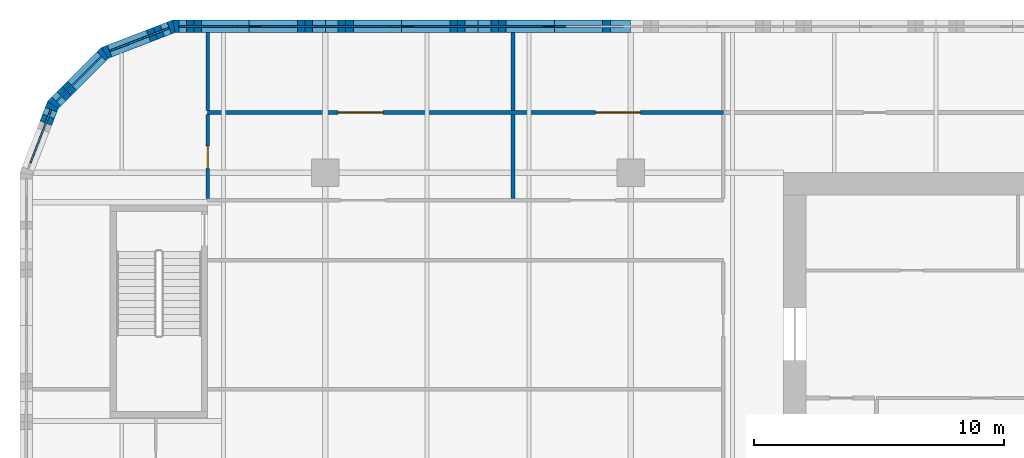
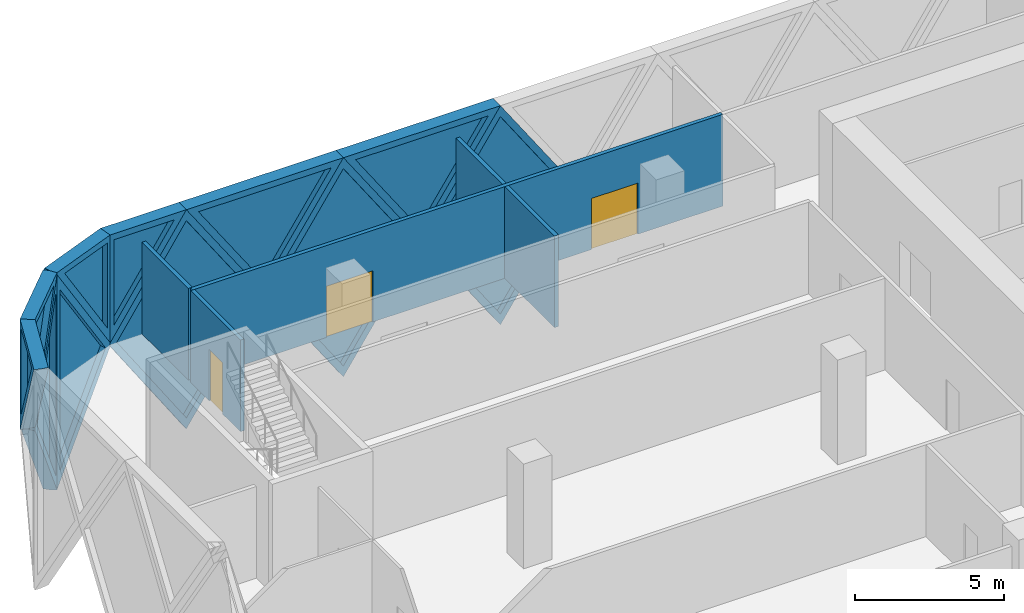
# One storey, part 16 of 30: 16 walls, 11 plates, 3 doors, 14 openings.
"""IFC4 building model written with IfcOpenShell, lengths in metres."""

from ifc_helpers import new_model, si_unit, direction, frame, frame_2d, origin, place, context, subcontext, project, spatial, polyline, rectangle, outline, extrude, faceted_brep, source, transform, mapped, material, layer, layer_set, type_object, element, fill, save


model = new_model("IFC4")

# Units and contexts
model_context = context("Model", 3, precision=1e-05, world=origin(), true_north=direction((0.0, 1.0)))
body_context = subcontext(model_context, "Body", "Model", "MODEL_VIEW")
ifc_project = project(units=[si_unit("LENGTHUNIT", "METRE"), si_unit("AREAUNIT", "SQUARE_METRE"), si_unit("VOLUMEUNIT", "CUBIC_METRE"), si_unit("PLANEANGLEUNIT", "RADIAN"), si_unit("MASSUNIT", "GRAM", prefix="KILO")], contexts=[model_context])

# Site, building, storey
site_placement = place(None, origin())
site = spatial("IfcSite", under=ifc_project, at=site_placement, CompositionType="ELEMENT")
building_placement = place(site_placement, origin())
building = spatial("IfcBuilding", under=site, at=building_placement, Name="Tessera Gate Towers", CompositionType="ELEMENT")
storey_placement = place(building_placement, frame((0.0, 0.0, 21.300048828125)))
storey = spatial("IfcBuildingStorey", under=building, at=storey_placement, Name="L04", CompositionType="ELEMENT", Elevation=21.300048828125)

# Wall, opening, door
ifc_material_1 = material(Name="Gypsum board on steel studs, mineral wool", Category="steel")
ifc_layer_1 = layer(ifc_material_1, 0.14990234375)
ifc_layer_set_1 = layer_set([ifc_layer_1], Name="TENANCY WALL 150")
wall_type_1 = type_object("IfcWallType", Name="TENANCY WALL 150", PredefinedType="PARTITIONING", material=ifc_layer_set_1)
wall_1_placement = place(storey_placement, frame((7.5, 47.77587890625, 0.0), z_axis=(0.0, 0.0, 1.0), x_axis=(0.0, 1.0, 0.0)))
wall_1 = element("IfcWall", 1, at=wall_1_placement, inside=storey, type_object=wall_type_1, Name="T1-L04-PW-042", PredefinedType="PARTITIONING", context=body_context, shape_type="SweptSolid", body=[
    extrude(rectangle(XDim=3.34814453125, YDim=0.14990234375, at=frame_2d((1.674072265625, 0.0))), origin(), (0.0, 0.0, 1.0), 3.766845703125),
])
shared_shape_1 = source(origin(), body_context, "Body", "SweptSolid", [
    extrude(rectangle(XDim=0.89990234375, YDim=2.10009765625, at=frame_2d((0.449951171875, 1.050048828125))), frame((0.0, 0.0849609375, 0.0), z_axis=(0.0, -1.0, 0.0), x_axis=(1.0, 0.0, 0.0)), (0.0, 0.0, 1.0), 0.169921875),
])
opening_1_placement = place(wall_1_placement, frame((1.199951171875, 0.0, 0.0)))
opening_1 = element("IfcOpeningElement", 2, at=opening_1_placement, cuts=wall_1, Name="Opening D190-A01-01", PredefinedType="OPENING", context=body_context, shape_type="MappedRepresentation", body=[
    mapped(shared_shape_1, transform((0.0, 0.0, 0.0), scale=1.0)),
])
ifc_material_2 = material(Name="Timber door leaf in steel frame", Category="steel")
door_type_1 = type_object("IfcDoorType", Name="INTERNAL DOOR 900 NOT RATED", OperationType="NOTDEFINED", PredefinedType="DOOR", material=ifc_material_2)
shared_shape_2 = source(origin(), body_context, "Body", "SweptSolid", [
    extrude(rectangle(XDim=0.89990234375, YDim=2.10009765625, at=frame_2d((0.449951171875, 1.050048828125))), frame((0.0, 0.02490234375, 0.0), z_axis=(0.0, -1.0, 0.0), x_axis=(1.0, 0.0, 0.0)), (0.0, 0.0, 1.0), 0.050048828125),
])
door_1_placement = place(opening_1_placement, origin())
door_1 = element("IfcDoor", 3, at=door_1_placement, inside=storey, type_object=door_type_1, Name="T1-L04-PD-001", OperationType="SINGLE_SWING_LEFT", OverallHeight=2.10009765625, OverallWidth=0.89990234375, PredefinedType="DOOR", context=body_context, shape_type="MappedRepresentation", body=[
    mapped(shared_shape_2, transform((0.0, 0.0, 0.0), scale=1.0)),
])
fill(opening_1, door_1)

# Wall
wall_2_placement = place(storey_placement, frame((19.699951171875, 47.77587890625, 0.0), z_axis=(0.0, 0.0, 1.0), x_axis=(0.0, 1.0, 0.0)))
element("IfcWall", 4, at=wall_2_placement, inside=storey, type_object=wall_type_1, Name="T1-L04-PW-043", PredefinedType="PARTITIONING", context=body_context, shape_type="SweptSolid", body=[
    extrude(rectangle(XDim=3.34814453125, YDim=0.14990234375, at=frame_2d((1.674072265625, 0.0))), origin(), (0.0, 0.0, 1.0), 3.766845703125),
])

# Wall, openings, doors
wall_3_placement = place(storey_placement, frame((7.5, 51.199951171875, 0.0), z_axis=(0.0, 0.0, 1.0), x_axis=(1.0, 0.0, 0.0)))
wall_3 = element("IfcWall", 5, at=wall_3_placement, inside=storey, type_object=wall_type_1, Name="T1-L04-PW-045", PredefinedType="PARTITIONING", context=body_context, shape_type="SweptSolid", body=[
    extrude(rectangle(XDim=20.59912109375, YDim=0.14990234375, at=frame_2d((10.299560546875, 0.0))), origin(), (0.0, 0.0, 1.0), 3.766845703125),
])
shared_shape_3 = source(origin(), body_context, "Body", "SweptSolid", [
    extrude(rectangle(XDim=1.800048828125, YDim=2.10009765625, at=frame_2d((0.89990234375, 1.050048828125))), frame((0.0, 0.0849609375, 0.0), z_axis=(0.0, -1.0, 0.0), x_axis=(1.0, 0.0, 0.0)), (0.0, 0.0, 1.0), 0.169921875),
])
opening_2_placement = place(wall_3_placement, frame((15.5009765625, 0.0, 0.0)))
opening_2 = element("IfcOpeningElement", 6, at=opening_2_placement, cuts=wall_3, Name="Opening D7180-A01-01", PredefinedType="OPENING", context=body_context, shape_type="MappedRepresentation", body=[
    mapped(shared_shape_3, transform((0.0, 0.0, 0.0), scale=1.0)),
])
opening_3_placement = place(wall_3_placement, frame((5.199951171875, 0.0, 0.0)))
opening_3 = element("IfcOpeningElement", 7, at=opening_3_placement, cuts=wall_3, Name="Opening D7180-A01-02", PredefinedType="OPENING", context=body_context, shape_type="MappedRepresentation", body=[
    mapped(shared_shape_3, transform((0.0, 0.0, 0.0), scale=1.0)),
])
ifc_material_3 = material(Name="Timber door leaf in steel frame", Category="steel")
door_type_2 = type_object("IfcDoorType", Name="DOUBLE DOOR 1800 NOT RATED", OperationType="NOTDEFINED", PredefinedType="DOOR", material=ifc_material_3)
shared_shape_4 = source(origin(), body_context, "Body", "SweptSolid", [
    extrude(rectangle(XDim=1.800048828125, YDim=2.10009765625, at=frame_2d((0.89990234375, 1.050048828125))), frame((0.0, 0.02490234375, 0.0), z_axis=(0.0, -1.0, 0.0), x_axis=(1.0, 0.0, 0.0)), (0.0, 0.0, 1.0), 0.050048828125),
])
door_2_placement = place(opening_2_placement, origin())
door_2 = element("IfcDoor", 8, at=door_2_placement, inside=storey, type_object=door_type_2, Name="T1-L04-PD-014", OperationType="DOUBLE_DOOR_SINGLE_SWING", OverallHeight=2.10009765625, OverallWidth=1.800048828125, PredefinedType="DOOR", context=body_context, shape_type="MappedRepresentation", body=[
    mapped(shared_shape_4, transform((0.0, 0.0, 0.0), scale=1.0)),
])
fill(opening_2, door_2)
door_3_placement = place(opening_3_placement, origin())
door_3 = element("IfcDoor", 9, at=door_3_placement, inside=storey, type_object=door_type_2, Name="T1-L04-PD-026", OperationType="DOUBLE_DOOR_SINGLE_SWING", OverallHeight=2.10009765625, OverallWidth=1.800048828125, PredefinedType="DOOR", context=body_context, shape_type="MappedRepresentation", body=[
    mapped(shared_shape_4, transform((0.0, 0.0, 0.0), scale=1.0)),
])
fill(opening_3, door_3)

# Walls
for number, where, z_axis, x_axis, name in (
    (10, (7.5, 51.27587890625, 0.0), (0.0, 0.0, 1.0), (0.0, 1.0, 0.0), "T1-L04-PW-047"),
    (11, (19.699951171875, 51.27587890625, 0.0), (0.0, 0.0, 1.0), (0.0, 1.0, 0.0), "T1-L04-PW-048"),
):
    element("IfcWall", number, at=place(storey_placement, frame(where, z_axis=z_axis, x_axis=x_axis)), inside=storey, type_object=wall_type_1, Name=name, PredefinedType="PARTITIONING", context=body_context, shape_type="SweptSolid", body=[
        extrude(rectangle(XDim=3.1240234375, YDim=0.14990234375, at=frame_2d((1.56201171875, 0.0))), origin(), (0.0, 0.0, 1.0), 3.766845703125),
    ])

# Wall, opening, plate
ifc_material_4 = material(Name="Precast concrete C60/75 white", Category="concrete")
ifc_layer_2 = layer(ifc_material_4, 0.5)
ifc_layer_set_2 = layer_set([ifc_layer_2], Name="TS1 tessera")
wall_type_2 = type_object("IfcWallType", Name="TS1 tessera", PredefinedType="SOLIDWALL", material=ifc_layer_set_2)
shared_shape_5 = source(origin(), body_context, "Body", "Brep", [
    faceted_brep([(3.050048828125, -0.25, 0.0), (6.099853515625, -0.25, 4.499755859375), (6.099853515625, -0.25, 4.500244140625), (3.050048828125, -0.25, 9.0), (0.0, -0.25, 4.5), (0.0, 0.25, 4.5), (3.050048828125, 0.25, 9.0), (6.099853515625, 0.25, 4.500244140625), (6.099853515625, 0.25, 4.499755859375), (3.050048828125, 0.25, 0.0)], [[[0, 1, 2, 3, 4]], [[5, 6, 7, 8, 9]], [[9, 8, 1, 0]], [[7, 6, 3, 2]], [[6, 5, 4, 3]], [[5, 9, 0, 4]], [[1, 8, 7, 2]]]),
])
wall_4_placement = place(storey_placement, frame((24.39990234375, 54.64990234375, -4.5), z_axis=(0.0, 0.0, 1.0), x_axis=(-1.0, 0.0, 0.0)))
wall_4 = element("IfcWall", 12, at=wall_4_placement, inside=storey, type_object=wall_type_2, Name="Precast tessera T1 TS1-0015", PredefinedType="SOLIDWALL", context=body_context, shape_type="MappedRepresentation", body=[
    mapped(shared_shape_5, transform((0.0, 0.0, 0.0), scale=1.0)),
])
shared_shape_6 = source(origin(), body_context, "Body", "SweptSolid", [
    extrude(outline(polyline([(3.050048828125, 0.445556640625), (5.798095703125, 4.5), (3.050048828125, 8.554443359375), (0.302001953125, 4.5), (3.050048828125, 0.445556640625)])), frame((0.0, 0.260009765625, 0.0), z_axis=(0.0, -1.0, 0.0), x_axis=(1.0, 0.0, 0.0)), (0.0, 0.0, 1.0), 0.52001953125),
])
opening_4_placement = place(wall_4_placement, origin())
opening_4 = element("IfcOpeningElement", 13, at=opening_4_placement, cuts=wall_4, Name="Opening T1-PL2-0023", PredefinedType="OPENING", context=body_context, shape_type="MappedRepresentation", body=[
    mapped(shared_shape_6, transform((0.0, 0.0, 0.0), scale=1.0)),
])
ifc_material_5 = material(Name="Low-e laminated glass", Category="glass")
ifc_layer_3 = layer(ifc_material_5, 0.06005859375)
ifc_layer_set_3 = layer_set([ifc_layer_3], Name="PL2 rhombic pane")
plate_type_1 = type_object("IfcPlateType", Name="PL2 rhombic pane", PredefinedType="SHEET", material=ifc_layer_set_3)
shared_shape_7 = source(origin(), body_context, "Body", "SweptSolid", [
    extrude(outline(polyline([(3.050048828125, 0.445556640625), (5.798095703125, 4.5), (3.050048828125, 8.554443359375), (0.302001953125, 4.5), (3.050048828125, 0.445556640625)])), frame((0.0, 0.030029296875, 0.0), z_axis=(0.0, -1.0, 0.0), x_axis=(1.0, 0.0, 0.0)), (0.0, 0.0, 1.0), 0.06005859375),
])
plate_1_placement = place(opening_4_placement, origin())
plate_1 = element("IfcPlate", 14, at=plate_1_placement, inside=storey, type_object=plate_type_1, Name="Glass pane T1 PL2-0023", PredefinedType="SHEET", context=body_context, shape_type="MappedRepresentation", body=[
    mapped(shared_shape_7, transform((0.0, 0.0, 0.0), scale=1.0)),
])
fill(opening_4, plate_1)

shared_shape_8 = source(origin(), body_context, "Body", "SweptSolid", [
    extrude(outline(polyline([(3.050048828125, 0.0), (6.10009765625, 4.5), (3.050048828125, 9.0), (0.0, 4.5), (3.050048828125, 0.0)])), frame((0.0, 0.25, 0.0), z_axis=(0.0, -1.0, 0.0), x_axis=(1.0, 0.0, 0.0)), (0.0, 0.0, 1.0), 0.5),
])
wall_5_placement = place(storey_placement, frame((18.300048828125, 54.64990234375, -4.5), z_axis=(0.0, 0.0, 1.0), x_axis=(-1.0, 0.0, 0.0)))
wall_5 = element("IfcWall", 15, at=wall_5_placement, inside=storey, type_object=wall_type_2, Name="Precast tessera T1 TS1-0016", PredefinedType="SOLIDWALL", context=body_context, shape_type="MappedRepresentation", body=[
    mapped(shared_shape_8, transform((0.0, 0.0, 0.0), scale=1.0)),
])
opening_5_placement = place(wall_5_placement, origin())
opening_5 = element("IfcOpeningElement", 16, at=opening_5_placement, cuts=wall_5, Name="Opening T1-PL2-0024", PredefinedType="OPENING", context=body_context, shape_type="MappedRepresentation", body=[
    mapped(shared_shape_6, transform((0.0, 0.0, 0.0), scale=1.0)),
])
plate_2_placement = place(opening_5_placement, origin())
plate_2 = element("IfcPlate", 17, at=plate_2_placement, inside=storey, type_object=plate_type_1, Name="Glass pane T1 PL2-0024", PredefinedType="SHEET", context=body_context, shape_type="MappedRepresentation", body=[
    mapped(shared_shape_7, transform((0.0, 0.0, 0.0), scale=1.0)),
])
fill(opening_5, plate_2)

shared_shape_9 = source(origin(), body_context, "Body", "Brep", [
    faceted_brep([(3.050048828125, -0.25, 0.0), (6.053466796875, -0.25, 4.5), (3.050048828125, -0.25, 9.0), (0.0, -0.25, 4.5), (0.0, 0.25, 4.5), (3.050048828125, 0.25, 9.0), (6.0068359375, 0.25, 4.56982421875), (6.0068359375, 0.25, 4.43017578125), (3.050048828125, 0.25, 0.0), (6.053466796875, 0.0, 4.5)], [[[0, 1, 2, 3]], [[4, 5, 6, 7, 8]], [[8, 7, 9, 1, 0]], [[6, 5, 2, 1, 9]], [[5, 4, 3, 2]], [[4, 8, 0, 3]], [[9, 7, 6]]]),
])
wall_6_placement = place(storey_placement, frame((12.199951171875, 54.64990234375, -4.5), z_axis=(0.0, 0.0, 1.0), x_axis=(-1.0, 0.0, 0.0)))
wall_6 = element("IfcWall", 18, at=wall_6_placement, inside=storey, type_object=wall_type_2, Name="Precast tessera T1 TS1-0017", PredefinedType="SOLIDWALL", context=body_context, shape_type="MappedRepresentation", body=[
    mapped(shared_shape_9, transform((0.0, 0.0, 0.0), scale=1.0)),
])
shared_shape_10 = source(origin(), body_context, "Body", "SweptSolid", [
    extrude(outline(polyline([(3.04833984375, 0.447998046875), (5.7529296875, 4.5), (3.04833984375, 8.552001953125), (0.302001953125, 4.5), (3.04833984375, 0.447998046875)])), frame((0.0, 0.260009765625, 0.0), z_axis=(0.0, -1.0, 0.0), x_axis=(1.0, 0.0, 0.0)), (0.0, 0.0, 1.0), 0.52001953125),
])
opening_6_placement = place(wall_6_placement, origin())
opening_6 = element("IfcOpeningElement", 19, at=opening_6_placement, cuts=wall_6, Name="Opening T1-PL2-0025", PredefinedType="OPENING", context=body_context, shape_type="MappedRepresentation", body=[
    mapped(shared_shape_10, transform((0.0, 0.0, 0.0), scale=1.0)),
])
shared_shape_11 = source(origin(), body_context, "Body", "SweptSolid", [
    extrude(outline(polyline([(3.04833984375, 0.447998046875), (5.7529296875, 4.5), (3.04833984375, 8.552001953125), (0.302001953125, 4.5), (3.04833984375, 0.447998046875)])), frame((0.0, 0.030029296875, 0.0), z_axis=(0.0, -1.0, 0.0), x_axis=(1.0, 0.0, 0.0)), (0.0, 0.0, 1.0), 0.06005859375),
])
plate_3_placement = place(opening_6_placement, origin())
plate_3 = element("IfcPlate", 20, at=plate_3_placement, inside=storey, type_object=plate_type_1, Name="Glass pane T1 PL2-0025", PredefinedType="SHEET", context=body_context, shape_type="MappedRepresentation", body=[
    mapped(shared_shape_11, transform((0.0, 0.0, 0.0), scale=1.0)),
])
fill(opening_6, plate_3)

ifc_material_6 = material(Name="Precast concrete C60/75 white", Category="concrete")
ifc_layer_4 = layer(ifc_material_6, 0.5)
ifc_layer_set_4 = layer_set([ifc_layer_4], Name="TS3 corner tessera")
wall_type_3 = type_object("IfcWallType", Name="TS3 corner tessera", PredefinedType="SOLIDWALL", material=ifc_layer_set_4)
shared_shape_12 = source(origin(), body_context, "Body", "Brep", [
    faceted_brep([(2.950439453125, -0.25, 0.0), (3.00341796875, -0.25, 0.0810546875), (3.00341796875, -0.25, 8.9189453125), (2.950439453125, -0.25, 9.0), (0.0, -0.25, 4.5), (0.046630859375, 0.25, 4.571044921875), (2.897705078125, 0.25, 8.91943359375), (2.897705078125, 0.25, 0.08056640625), (0.046630859375, 0.25, 4.428955078125), (2.950439453125, 0.00048828125, 0.0), (2.950439453125, 0.00048828125, 9.0), (0.0, 0.0, 4.5)], [[[0, 1, 2, 3, 4]], [[5, 6, 7, 8]], [[1, 0, 9]], [[10, 3, 2]], [[6, 5, 11, 4, 3, 10]], [[8, 7, 9, 0, 4, 11]], [[8, 11, 5]], [[1, 9, 7, 6, 10, 2]]]),
])
wall_7_placement = place(storey_placement, frame((6.146484375, 54.64990234375, -4.5), z_axis=(0.0, 0.0, 1.0), x_axis=(-0.932997369089, -0.359883188373, 0.0)))
wall_7 = element("IfcWall", 21, at=wall_7_placement, inside=storey, type_object=wall_type_3, Name="Precast corner tessera T1 TS3-0033", PredefinedType="SOLIDWALL", context=body_context, shape_type="MappedRepresentation", body=[
    mapped(shared_shape_12, transform((0.0, 0.0, 0.0), scale=1.0)),
])
shared_shape_13 = source(origin(), body_context, "Body", "SweptSolid", [
    extrude(outline(polyline([(2.75048828125, 8.239013671875), (0.298828125, 4.5), (2.75048828125, 0.760986328125), (2.75048828125, 8.239013671875)])), frame((0.0, 0.260009765625, 0.0), z_axis=(0.0, -1.0, 0.0), x_axis=(1.0, 0.0, 0.0)), (0.0, 0.0, 1.0), 0.52001953125),
])
opening_7_placement = place(wall_7_placement, origin())
opening_7 = element("IfcOpeningElement", 22, at=opening_7_placement, cuts=wall_7, Name="Opening T1-PL2-0026", PredefinedType="OPENING", context=body_context, shape_type="MappedRepresentation", body=[
    mapped(shared_shape_13, transform((0.0, 0.0, 0.0), scale=1.0)),
])
shared_shape_14 = source(origin(), body_context, "Body", "SweptSolid", [
    extrude(outline(polyline([(2.75048828125, 8.239013671875), (0.298828125, 4.5), (2.75048828125, 0.760986328125), (2.75048828125, 8.239013671875)])), frame((0.0, 0.030029296875, 0.0), z_axis=(0.0, -1.0, 0.0), x_axis=(1.0, 0.0, 0.0)), (0.0, 0.0, 1.0), 0.06005859375),
])
plate_4_placement = place(opening_7_placement, origin())
plate_4 = element("IfcPlate", 23, at=plate_4_placement, inside=storey, type_object=plate_type_1, Name="Glass pane T1 PL2-0026", PredefinedType="SHEET", context=body_context, shape_type="MappedRepresentation", body=[
    mapped(shared_shape_14, transform((0.0, 0.0, 0.0), scale=1.0)),
])
fill(opening_7, plate_4)

shared_shape_15 = source(origin(), body_context, "Body", "Brep", [
    faceted_brep([(0.052978515625, -0.25, 0.0), (2.9970703125, -0.25, 4.5), (0.052978515625, -0.25, 9.0), (0.0, -0.25, 8.919189453125), (0.0, -0.25, 0.080810546875), (0.10595703125, 0.25, 8.919189453125), (2.944091796875, 0.25, 4.580810546875), (2.944091796875, 0.25, 4.419189453125), (0.10595703125, 0.25, 0.080810546875), (2.9970703125, 0.000244140625, 4.5), (0.052978515625, 0.0, 0.0), (0.052978515625, 0.0, 9.0)], [[[0, 1, 2, 3, 4]], [[5, 6, 7, 8]], [[8, 7, 9, 1, 0, 10]], [[6, 5, 11, 2, 1, 9]], [[3, 2, 11]], [[10, 0, 4]], [[8, 10, 4, 3, 11, 5]], [[9, 7, 6]]]),
])
wall_8_placement = place(storey_placement, frame((3.43115234375, 53.62548828125, -4.5), z_axis=(0.0, 0.0, 1.0), x_axis=(-0.707106781187, -0.707106781187, 0.0)))
wall_8 = element("IfcWall", 24, at=wall_8_placement, inside=storey, type_object=wall_type_3, Name="Precast corner tessera T1 TS3-0034", PredefinedType="SOLIDWALL", context=body_context, shape_type="MappedRepresentation", body=[
    mapped(shared_shape_15, transform((0.0, 0.0, 0.0), scale=1.0)),
])
shared_shape_16 = source(origin(), body_context, "Body", "SweptSolid", [
    extrude(outline(polyline([(0.2529296875, 0.76220703125), (2.698486328125, 4.5), (0.2529296875, 8.237548828125), (0.2529296875, 0.76220703125)])), frame((0.0, 0.260009765625, 0.0), z_axis=(0.0, -1.0, 0.0), x_axis=(1.0, 0.0, 0.0)), (0.0, 0.0, 1.0), 0.52001953125),
])
opening_8_placement = place(wall_8_placement, origin())
opening_8 = element("IfcOpeningElement", 25, at=opening_8_placement, cuts=wall_8, Name="Opening T1-PL2-0027", PredefinedType="OPENING", context=body_context, shape_type="MappedRepresentation", body=[
    mapped(shared_shape_16, transform((0.0, 0.0, 0.0), scale=1.0)),
])
shared_shape_17 = source(origin(), body_context, "Body", "SweptSolid", [
    extrude(outline(polyline([(0.2529296875, 0.76220703125), (2.698486328125, 4.5), (0.2529296875, 8.237548828125), (0.2529296875, 0.76220703125)])), frame((0.0, 0.030029296875, 0.0), z_axis=(0.0, -1.0, 0.0), x_axis=(1.0, 0.0, 0.0)), (0.0, 0.0, 1.0), 0.06005859375),
])
plate_5_placement = place(opening_8_placement, origin())
plate_5 = element("IfcPlate", 26, at=plate_5_placement, inside=storey, type_object=plate_type_1, Name="Glass pane T1 PL2-0027", PredefinedType="SHEET", context=body_context, shape_type="MappedRepresentation", body=[
    mapped(shared_shape_17, transform((0.0, 0.0, 0.0), scale=1.0)),
])
fill(opening_8, plate_5)

ifc_material_7 = material(Name="Precast concrete C60/75 white", Category="concrete")
ifc_layer_5 = layer(ifc_material_7, 0.5)
ifc_layer_set_5 = layer_set([ifc_layer_5], Name="TS2 half tessera")
wall_type_4 = type_object("IfcWallType", Name="TS2 half tessera", PredefinedType="SOLIDWALL", material=ifc_layer_set_5)
shared_shape_18 = source(origin(), body_context, "Body", "SweptSolid", [
    extrude(outline(polyline([(3.050048828125, 0.0), (6.10009765625, 4.5), (0.0, 4.5), (3.050048828125, 0.0)])), frame((0.0, 0.25, 0.0), z_axis=(0.0, -1.0, 0.0), x_axis=(1.0, 0.0, 0.0)), (0.0, 0.0, 1.0), 0.5),
])
wall_9_placement = place(storey_placement, frame((21.35009765625, 54.64990234375, 0.0), z_axis=(0.0, 0.0, 1.0), x_axis=(-1.0, 0.0, 0.0)))
wall_9 = element("IfcWall", 27, at=wall_9_placement, inside=storey, type_object=wall_type_4, Name="Precast half tessera T1 TS2-0038", PredefinedType="SOLIDWALL", context=body_context, shape_type="MappedRepresentation", body=[
    mapped(shared_shape_18, transform((0.0, 0.0, 0.0), scale=1.0)),
])
shared_shape_19 = source(origin(), body_context, "Body", "SweptSolid", [
    extrude(outline(polyline([(3.050048828125, 0.445556640625), (5.628662109375, 4.25), (0.471435546875, 4.25), (3.050048828125, 0.445556640625)])), frame((0.0, 0.260009765625, 0.0), z_axis=(0.0, -1.0, 0.0), x_axis=(1.0, 0.0, 0.0)), (0.0, 0.0, 1.0), 0.52001953125),
])
opening_9_placement = place(wall_9_placement, origin())
opening_9 = element("IfcOpeningElement", 28, at=opening_9_placement, cuts=wall_9, Name="Opening T1-PL1-0072", PredefinedType="OPENING", context=body_context, shape_type="MappedRepresentation", body=[
    mapped(shared_shape_19, transform((0.0, 0.0, 0.0), scale=1.0)),
])
ifc_material_8 = material(Name="Low-e laminated glass", Category="glass")
ifc_layer_6 = layer(ifc_material_8, 0.06005859375)
ifc_layer_set_6 = layer_set([ifc_layer_6], Name="PL1 triangular pane")
plate_type_2 = type_object("IfcPlateType", Name="PL1 triangular pane", PredefinedType="SHEET", material=ifc_layer_set_6)
shared_shape_20 = source(origin(), body_context, "Body", "SweptSolid", [
    extrude(outline(polyline([(3.050048828125, 0.445556640625), (5.628662109375, 4.25), (0.471435546875, 4.25), (3.050048828125, 0.445556640625)])), frame((0.0, 0.030029296875, 0.0), z_axis=(0.0, -1.0, 0.0), x_axis=(1.0, 0.0, 0.0)), (0.0, 0.0, 1.0), 0.06005859375),
])
plate_6_placement = place(opening_9_placement, origin())
plate_6 = element("IfcPlate", 29, at=plate_6_placement, inside=storey, type_object=plate_type_2, Name="Glass pane T1 PL1-0072", PredefinedType="SHEET", context=body_context, shape_type="MappedRepresentation", body=[
    mapped(shared_shape_20, transform((0.0, 0.0, 0.0), scale=1.0)),
])
fill(opening_9, plate_6)

wall_10_placement = place(storey_placement, frame((15.25, 54.64990234375, 0.0), z_axis=(0.0, 0.0, 1.0), x_axis=(-1.0, 0.0, 0.0)))
wall_10 = element("IfcWall", 30, at=wall_10_placement, inside=storey, type_object=wall_type_4, Name="Precast half tessera T1 TS2-0039", PredefinedType="SOLIDWALL", context=body_context, shape_type="MappedRepresentation", body=[
    mapped(shared_shape_18, transform((0.0, 0.0, 0.0), scale=1.0)),
])
opening_10_placement = place(wall_10_placement, origin())
opening_10 = element("IfcOpeningElement", 31, at=opening_10_placement, cuts=wall_10, Name="Opening T1-PL1-0073", PredefinedType="OPENING", context=body_context, shape_type="MappedRepresentation", body=[
    mapped(shared_shape_19, transform((0.0, 0.0, 0.0), scale=1.0)),
])
plate_7_placement = place(opening_10_placement, origin())
plate_7 = element("IfcPlate", 32, at=plate_7_placement, inside=storey, type_object=plate_type_2, Name="Glass pane T1 PL1-0073", PredefinedType="SHEET", context=body_context, shape_type="MappedRepresentation", body=[
    mapped(shared_shape_20, transform((0.0, 0.0, 0.0), scale=1.0)),
])
fill(opening_10, plate_7)

shared_shape_21 = source(origin(), body_context, "Body", "Brep", [
    faceted_brep([(3.00341796875, -0.25, 0.0), (3.050048828125, -0.25, 0.071044921875), (3.050048828125, -0.25, 4.5), (0.0, -0.25, 4.5), (0.0, 0.25, 4.5), (2.956787109375, 0.25, 4.5), (2.956787109375, 0.25, 0.069580078125), (3.00341796875, 0.000244140625, 0.0)], [[[0, 1, 2, 3]], [[4, 5, 6]], [[1, 0, 7]], [[5, 4, 3, 2]], [[4, 6, 7, 0, 3]], [[1, 7, 6, 5, 2]]]),
])
wall_11_placement = place(storey_placement, frame((9.14990234375, 54.64990234375, 0.0), z_axis=(0.0, 0.0, 1.0), x_axis=(-1.0, 0.0, 0.0)))
wall_11 = element("IfcWall", 33, at=wall_11_placement, inside=storey, type_object=wall_type_3, Name="Precast corner tessera T1 TS3-0059", PredefinedType="SOLIDWALL", context=body_context, shape_type="MappedRepresentation", body=[
    mapped(shared_shape_21, transform((0.0, 0.0, 0.0), scale=1.0)),
])
shared_shape_22 = source(origin(), body_context, "Body", "SweptSolid", [
    extrude(outline(polyline([(2.803466796875, 4.25), (0.467529296875, 4.25), (2.803466796875, 0.75), (2.803466796875, 4.25)])), frame((0.0, 0.260009765625, 0.0), z_axis=(0.0, -1.0, 0.0), x_axis=(1.0, 0.0, 0.0)), (0.0, 0.0, 1.0), 0.52001953125),
])
opening_11_placement = place(wall_11_placement, origin())
opening_11 = element("IfcOpeningElement", 34, at=opening_11_placement, cuts=wall_11, Name="Opening T1-PL1-0074", PredefinedType="OPENING", context=body_context, shape_type="MappedRepresentation", body=[
    mapped(shared_shape_22, transform((0.0, 0.0, 0.0), scale=1.0)),
])
shared_shape_23 = source(origin(), body_context, "Body", "SweptSolid", [
    extrude(outline(polyline([(2.803466796875, 4.25), (0.467529296875, 4.25), (2.803466796875, 0.75), (2.803466796875, 4.25)])), frame((0.0, 0.030029296875, 0.0), z_axis=(0.0, -1.0, 0.0), x_axis=(1.0, 0.0, 0.0)), (0.0, 0.0, 1.0), 0.06005859375),
])
plate_8_placement = place(opening_11_placement, origin())
plate_8 = element("IfcPlate", 35, at=plate_8_placement, inside=storey, type_object=plate_type_2, Name="Glass pane T1 PL1-0074", PredefinedType="SHEET", context=body_context, shape_type="MappedRepresentation", body=[
    mapped(shared_shape_23, transform((0.0, 0.0, 0.0), scale=1.0)),
])
fill(opening_11, plate_8)

shared_shape_24 = source(origin(), body_context, "Body", "Brep", [
    faceted_brep([(0.046630859375, -0.25, 0.0), (2.9970703125, -0.25, 4.5), (0.0, -0.25, 4.5), (0.0, -0.25, 0.06982421875), (0.09326171875, 0.25, 4.5), (2.9443359375, 0.25, 4.5), (2.9443359375, 0.25, 4.41943359375), (0.09326171875, 0.25, 0.071044921875), (2.9970703125, 0.00048828125, 4.5), (0.046630859375, 0.0, 0.0)], [[[0, 1, 2, 3]], [[4, 5, 6, 7]], [[7, 6, 8, 1, 0, 9]], [[5, 4, 2, 1, 8]], [[9, 0, 3]], [[7, 9, 3, 2, 4]], [[6, 5, 8]]]),
])
wall_12_placement = place(storey_placement, frame((6.18994140625, 54.666748046875, 0.0), z_axis=(0.0, 0.0, 1.0), x_axis=(-0.932990326376, -0.359901446078, 0.0)))
wall_12 = element("IfcWall", 36, at=wall_12_placement, inside=storey, type_object=wall_type_3, Name="Precast corner tessera T1 TS3-0060", PredefinedType="SOLIDWALL", context=body_context, shape_type="MappedRepresentation", body=[
    mapped(shared_shape_24, transform((0.0, 0.0, 0.0), scale=1.0)),
])
shared_shape_25 = source(origin(), body_context, "Body", "SweptSolid", [
    extrude(outline(polyline([(0.24658203125, 0.760986328125), (2.5341796875, 4.25), (0.24658203125, 4.25), (0.24658203125, 0.760986328125)])), frame((0.0, 0.260009765625, 0.0), z_axis=(0.0, -1.0, 0.0), x_axis=(1.0, 0.0, 0.0)), (0.0, 0.0, 1.0), 0.52001953125),
])
opening_12_placement = place(wall_12_placement, origin())
opening_12 = element("IfcOpeningElement", 37, at=opening_12_placement, cuts=wall_12, Name="Opening T1-PL1-0075", PredefinedType="OPENING", context=body_context, shape_type="MappedRepresentation", body=[
    mapped(shared_shape_25, transform((0.0, 0.0, 0.0), scale=1.0)),
])
shared_shape_26 = source(origin(), body_context, "Body", "SweptSolid", [
    extrude(outline(polyline([(0.24658203125, 0.760986328125), (2.5341796875, 4.25), (0.24658203125, 4.25), (0.24658203125, 0.760986328125)])), frame((0.0, 0.030029296875, 0.0), z_axis=(0.0, -1.0, 0.0), x_axis=(1.0, 0.0, 0.0)), (0.0, 0.0, 1.0), 0.06005859375),
])
plate_9_placement = place(opening_12_placement, origin())
plate_9 = element("IfcPlate", 38, at=plate_9_placement, inside=storey, type_object=plate_type_2, Name="Glass pane T1 PL1-0075", PredefinedType="SHEET", context=body_context, shape_type="MappedRepresentation", body=[
    mapped(shared_shape_26, transform((0.0, 0.0, 0.0), scale=1.0)),
])
fill(opening_12, plate_9)

shared_shape_27 = source(origin(), body_context, "Body", "Brep", [
    faceted_brep([(0.052978515625, -0.25, 0.0), (3.00341796875, -0.25, 4.5), (0.0, -0.25, 4.5), (0.0, -0.25, 0.080810546875), (0.10595703125, 0.25, 4.5), (2.95703125, 0.25, 4.5), (2.95703125, 0.25, 4.42919921875), (0.10595703125, 0.25, 0.080810546875), (3.00341796875, 0.00048828125, 4.5), (0.052978515625, 0.0, 0.0)], [[[0, 1, 2, 3]], [[4, 5, 6, 7]], [[7, 6, 8, 1, 0, 9]], [[5, 4, 2, 1, 8]], [[9, 0, 3]], [[7, 9, 3, 2, 4]], [[6, 5, 8]]]),
])
wall_13_placement = place(storey_placement, frame((1.3310546875, 51.5556640625, 0.0), z_axis=(0.0, 0.0, 1.0), x_axis=(-0.35992665181, -0.932980602862, 0.0)))
wall_13 = element("IfcWall", 39, at=wall_13_placement, inside=storey, type_object=wall_type_3, Name="Precast corner tessera T1 TS3-0062", PredefinedType="SOLIDWALL", context=body_context, shape_type="MappedRepresentation", body=[
    mapped(shared_shape_27, transform((0.0, 0.0, 0.0), scale=1.0)),
])
shared_shape_28 = source(origin(), body_context, "Body", "SweptSolid", [
    extrude(outline(polyline([(0.2529296875, 0.760986328125), (2.54052734375, 4.25), (0.2529296875, 4.25), (0.2529296875, 0.760986328125)])), frame((0.0, 0.260009765625, 0.0), z_axis=(0.0, -1.0, 0.0), x_axis=(1.0, 0.0, 0.0)), (0.0, 0.0, 1.0), 0.52001953125),
])
opening_13_placement = place(wall_13_placement, origin())
opening_13 = element("IfcOpeningElement", 40, at=opening_13_placement, cuts=wall_13, Name="Opening T1-PL1-0077", PredefinedType="OPENING", context=body_context, shape_type="MappedRepresentation", body=[
    mapped(shared_shape_28, transform((0.0, 0.0, 0.0), scale=1.0)),
])
shared_shape_29 = source(origin(), body_context, "Body", "SweptSolid", [
    extrude(outline(polyline([(0.2529296875, 0.760986328125), (2.54052734375, 4.25), (0.2529296875, 4.25), (0.2529296875, 0.760986328125)])), frame((0.0, 0.030029296875, 0.0), z_axis=(0.0, -1.0, 0.0), x_axis=(1.0, 0.0, 0.0)), (0.0, 0.0, 1.0), 0.06005859375),
])
plate_10_placement = place(opening_13_placement, origin())
plate_10 = element("IfcPlate", 41, at=plate_10_placement, inside=storey, type_object=plate_type_2, Name="Glass pane T1 PL1-0077", PredefinedType="SHEET", context=body_context, shape_type="MappedRepresentation", body=[
    mapped(shared_shape_29, transform((0.0, 0.0, 0.0), scale=1.0)),
])
fill(opening_13, plate_10)

shared_shape_30 = source(origin(), body_context, "Body", "Brep", [
    faceted_brep([(2.944091796875, -0.25, 0.0), (2.9970703125, -0.25, 0.080810546875), (2.9970703125, -0.25, 4.5), (0.0, -0.25, 4.5), (0.052978515625, 0.25, 4.5), (2.89111328125, 0.25, 4.5), (2.89111328125, 0.25, 0.080810546875), (0.052978515625, 0.25, 4.419189453125), (2.944091796875, 0.000244140625, 0.0), (0.0, 0.0, 4.5)], [[[0, 1, 2, 3]], [[4, 5, 6, 7]], [[1, 0, 8]], [[5, 4, 9, 3, 2]], [[7, 6, 8, 0, 3, 9]], [[7, 9, 4]], [[1, 8, 6, 5, 2]]]),
])
wall_14_placement = place(storey_placement, frame((3.393798828125, 53.588134765625, 0.0), z_axis=(0.0, 0.0, 1.0), x_axis=(-0.707106781187, -0.707106781187, 0.0)))
wall_14 = element("IfcWall", 42, at=wall_14_placement, inside=storey, type_object=wall_type_3, Name="Precast corner tessera T1 TS3-0061", PredefinedType="SOLIDWALL", context=body_context, shape_type="MappedRepresentation", body=[
    mapped(shared_shape_30, transform((0.0, 0.0, 0.0), scale=1.0)),
])
shared_shape_31 = source(origin(), body_context, "Body", "SweptSolid", [
    extrude(outline(polyline([(2.744140625, 4.25), (0.46240234375, 4.25), (2.744140625, 0.76220703125), (2.744140625, 4.25)])), frame((0.0, 0.260009765625, 0.0), z_axis=(0.0, -1.0, 0.0), x_axis=(1.0, 0.0, 0.0)), (0.0, 0.0, 1.0), 0.52001953125),
])
opening_14_placement = place(wall_14_placement, origin())
opening_14 = element("IfcOpeningElement", 43, at=opening_14_placement, cuts=wall_14, Name="Opening T1-PL1-0076", PredefinedType="OPENING", context=body_context, shape_type="MappedRepresentation", body=[
    mapped(shared_shape_31, transform((0.0, 0.0, 0.0), scale=1.0)),
])
shared_shape_32 = source(origin(), body_context, "Body", "SweptSolid", [
    extrude(outline(polyline([(2.744140625, 4.25), (0.46240234375, 4.25), (2.744140625, 0.76220703125), (2.744140625, 4.25)])), frame((0.0, 0.030029296875, 0.0), z_axis=(0.0, -1.0, 0.0), x_axis=(1.0, 0.0, 0.0)), (0.0, 0.0, 1.0), 0.06005859375),
])
plate_11_placement = place(opening_14_placement, origin())
plate_11 = element("IfcPlate", 44, at=plate_11_placement, inside=storey, type_object=plate_type_2, Name="Glass pane T1 PL1-0076", PredefinedType="SHEET", context=body_context, shape_type="MappedRepresentation", body=[
    mapped(shared_shape_32, transform((0.0, 0.0, 0.0), scale=1.0)),
])
fill(opening_14, plate_11)

save(model, "model.ifc")
